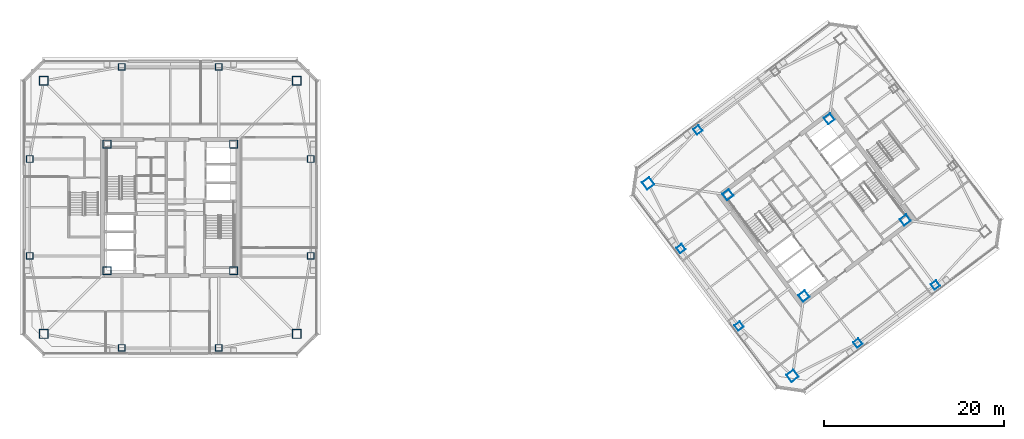
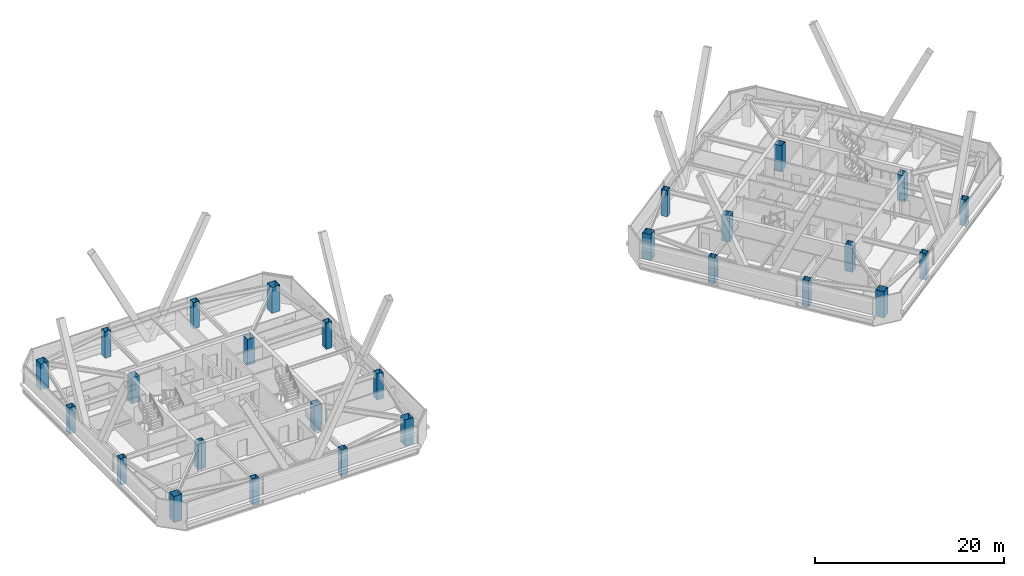
# One storey, part 1 of 47: 27 columns.
"""IFC4 building model written with IfcOpenShell, lengths in metres."""

from ifc_helpers import new_model, si_unit, direction, frame, origin, origin_2d, place, context, subcontext, project, spatial, hollow_rectangle, extrude, material, material_profile, profile_set, type_object, element, save


model = new_model("IFC4")

# Units and contexts
model_context = context("Model", 3, precision=1e-05, world=origin(), true_north=direction((0.0, 1.0)))
body_context = subcontext(model_context, "Body", "Model", "MODEL_VIEW")
ifc_project = project(units=[si_unit("LENGTHUNIT", "METRE"), si_unit("AREAUNIT", "SQUARE_METRE"), si_unit("VOLUMEUNIT", "CUBIC_METRE"), si_unit("PLANEANGLEUNIT", "RADIAN"), si_unit("MASSUNIT", "GRAM", prefix="KILO")], contexts=[model_context])

# Site, building, storey
site_placement = place(None, origin())
site = spatial("IfcSite", under=ifc_project, at=site_placement, CompositionType="ELEMENT")
building_placement = place(site_placement, origin())
building = spatial("IfcBuilding", under=site, at=building_placement, Name="Tashvorn Skyway Center", CompositionType="ELEMENT")
storey_placement = place(building_placement, frame((0.0, 0.0, 204.199951171875)))
storey = spatial("IfcBuildingStorey", under=building, at=storey_placement, Name="L55", CompositionType="ELEMENT", Elevation=204.199951171875)

# Columns
ifc_material = material(Name="Steel ASTM A572 Grade 50", Category="steel")
ifc_material_profile_1 = material_profile(ifc_material, hollow_rectangle(XDim=1.0, YDim=1.0, WallThickness=0.0400390625, at=origin_2d()), Name="BOX1000x1000x40")
ifc_profile_set_1 = profile_set([ifc_material_profile_1], Name="Steel ASTM A572 Grade 50")
column_type_1 = type_object("IfcColumnType", Name="COL-BOX1000x1000x40", PredefinedType="COLUMN", material=ifc_profile_set_1)
for number, where, z_axis, x_axis, name in (
    (1, (27.89990234375, 17.89990234375, 0.0), (0.0, 0.0, 1.0), (1.0, 0.0, 0.0), "Tower 1 L55 Mega-Column MC-SW"),
    (2, (56.10009765625, 17.89990234375, 0.0), (0.0, 0.0, 1.0), (1.0, 0.0, 0.0), "Tower 1 L55 Mega-Column MC-SE"),
    (3, (56.10009765625, 46.10009765625, 0.0), (0.0, 0.0, 1.0), (1.0, 0.0, 0.0), "Tower 1 L55 Mega-Column MC-NE"),
    (4, (27.89990234375, 46.10009765625, 0.0), (0.0, 0.0, 1.0), (1.0, 0.0, 0.0), "Tower 1 L55 Mega-Column MC-NW"),
    (5, (111.320068359375, 13.239990234375, 0.0), (0.0, 0.0, 1.0), (0.799999996291, 0.600000004945, 0.0), "Tower 2 L55 Mega-Column MC-SW"),
    (6, (95.239990234375, 34.679931640625, 0.0), (0.0, 0.0, 1.0), (0.799999996291, 0.600000004945, 0.0), "Tower 2 L55 Mega-Column MC-NW"),
):
    element("IfcColumn", number, at=place(storey_placement, frame(where, z_axis=z_axis, x_axis=x_axis)), inside=storey, type_object=column_type_1, Name=name, PredefinedType="COLUMN", context=body_context, shape_type="SweptSolid", body=[
        extrude(hollow_rectangle(XDim=1.0, YDim=1.0, WallThickness=0.0400390625, at=origin_2d()), origin(), (0.0, 0.0, 1.0), 3.3701171875),
    ])
ifc_material_profile_2 = material_profile(ifc_material, hollow_rectangle(XDim=0.75, YDim=0.75, WallThickness=0.031982421875, at=origin_2d()), Name="BOX750x750x32")
ifc_profile_set_2 = profile_set([ifc_material_profile_2], Name="Steel ASTM A572 Grade 50")
column_type_2 = type_object("IfcColumnType", Name="COL-BOX750x750x32", PredefinedType="COLUMN", material=ifc_profile_set_2)
for number, where, z_axis, x_axis, name in (
    (7, (36.60009765625, 16.35009765625, 0.0), (0.0, 0.0, 1.0), (1.0, 0.0, 0.0), "Tower 1 L55 Perimeter Column FC-S1"),
    (8, (47.39990234375, 16.35009765625, 0.0), (0.0, 0.0, 1.0), (1.0, 0.0, 0.0), "Tower 1 L55 Perimeter Column FC-S2"),
    (9, (57.64990234375, 26.60009765625, 0.0), (0.0, 0.0, 1.0), (1.0, 0.0, 0.0), "Tower 1 L55 Perimeter Column FC-E1"),
    (10, (57.64990234375, 37.39990234375, 0.0), (0.0, 0.0, 1.0), (1.0, 0.0, 0.0), "Tower 1 L55 Perimeter Column FC-E2"),
    (11, (47.39990234375, 47.64990234375, 0.0), (0.0, 0.0, 1.0), (1.0, 0.0, 0.0), "Tower 1 L55 Perimeter Column FC-N1"),
    (12, (36.60009765625, 47.64990234375, 0.0), (0.0, 0.0, 1.0), (1.0, 0.0, 0.0), "Tower 1 L55 Perimeter Column FC-N2"),
    (13, (26.35009765625, 37.39990234375, 0.0), (0.0, 0.0, 1.0), (1.0, 0.0, 0.0), "Tower 1 L55 Perimeter Column FC-W1"),
    (14, (26.35009765625, 26.60009765625, 0.0), (0.0, 0.0, 1.0), (1.0, 0.0, 0.0), "Tower 1 L55 Perimeter Column FC-W2"),
    (15, (118.590087890625, 16.8798828125, 0.0), (0.0, 0.0, 1.0), (0.799999996291, 0.600000004945, 0.0), "Tower 2 L55 Perimeter Column FC-S1"),
    (16, (127.22998046875, 23.360107421875, 0.0), (0.0, 0.0, 1.0), (0.799999996291, 0.600000004945, 0.0), "Tower 2 L55 Perimeter Column FC-S2"),
    (17, (100.77001953125, 40.639892578125, 0.0), (0.0, 0.0, 1.0), (0.799999996291, 0.600000004945, 0.0), "Tower 2 L55 Perimeter Column FC-N2"),
    (18, (98.8798828125, 27.409912109375, 0.0), (0.0, 0.0, 1.0), (0.799999996291, 0.600000004945, 0.0), "Tower 2 L55 Perimeter Column FC-W1"),
    (19, (105.360107421875, 18.77001953125, 0.0), (0.0, 0.0, 1.0), (0.799999996291, 0.600000004945, 0.0), "Tower 2 L55 Perimeter Column FC-W2"),
):
    element("IfcColumn", number, at=place(storey_placement, frame(where, z_axis=z_axis, x_axis=x_axis)), inside=storey, type_object=column_type_2, Name=name, PredefinedType="COLUMN", context=body_context, shape_type="SweptSolid", body=[
        extrude(hollow_rectangle(XDim=0.75, YDim=0.75, WallThickness=0.031982421875, at=origin_2d()), origin(), (0.0, 0.0, 1.0), 3.3701171875),
    ])
ifc_material_profile_3 = material_profile(ifc_material, hollow_rectangle(XDim=0.89990234375, YDim=0.89990234375, WallThickness=0.0400390625, at=origin_2d()), Name="BOX900x900x40")
ifc_profile_set_3 = profile_set([ifc_material_profile_3], Name="Steel ASTM A572 Grade 50")
column_type_3 = type_object("IfcColumnType", Name="COL-BOX900x900x40", PredefinedType="COLUMN", material=ifc_profile_set_3)
for number, where, z_axis, x_axis, name in (
    (20, (34.949951171875, 24.949951171875, 0.0), (0.0, 0.0, 1.0), (1.0, 0.0, 0.0), "Tower 1 L55 Core Corner Column CC-SW"),
    (21, (49.050048828125, 24.949951171875, 0.0), (0.0, 0.0, 1.0), (1.0, 0.0, 0.0), "Tower 1 L55 Core Corner Column CC-SE"),
    (22, (49.050048828125, 39.050048828125, 0.0), (0.0, 0.0, 1.0), (1.0, 0.0, 0.0), "Tower 1 L55 Core Corner Column CC-NE"),
    (23, (34.949951171875, 39.050048828125, 0.0), (0.0, 0.0, 1.0), (1.0, 0.0, 0.0), "Tower 1 L55 Core Corner Column CC-NW"),
    (24, (112.590087890625, 22.1298828125, 0.0), (0.0, 0.0, 1.0), (0.799999996291, 0.600000004945, 0.0), "Tower 2 L55 Core Corner Column CC-SW"),
    (25, (123.8701171875, 30.590087890625, 0.0), (0.0, 0.0, 1.0), (0.799999996291, 0.600000004945, 0.0), "Tower 2 L55 Core Corner Column CC-SE"),
    (26, (115.409912109375, 41.8701171875, 0.0), (0.0, 0.0, 1.0), (0.799999996291, 0.600000004945, 0.0), "Tower 2 L55 Core Corner Column CC-NE"),
    (27, (104.1298828125, 33.409912109375, 0.0), (0.0, 0.0, 1.0), (0.799999996291, 0.600000004945, 0.0), "Tower 2 L55 Core Corner Column CC-NW"),
):
    element("IfcColumn", number, at=place(storey_placement, frame(where, z_axis=z_axis, x_axis=x_axis)), inside=storey, type_object=column_type_3, Name=name, PredefinedType="COLUMN", context=body_context, shape_type="SweptSolid", body=[
        extrude(hollow_rectangle(XDim=0.89990234375, YDim=0.89990234375, WallThickness=0.0400390625, at=origin_2d()), origin(), (0.0, 0.0, 1.0), 3.3701171875),
    ])

save(model, "model.ifc")
